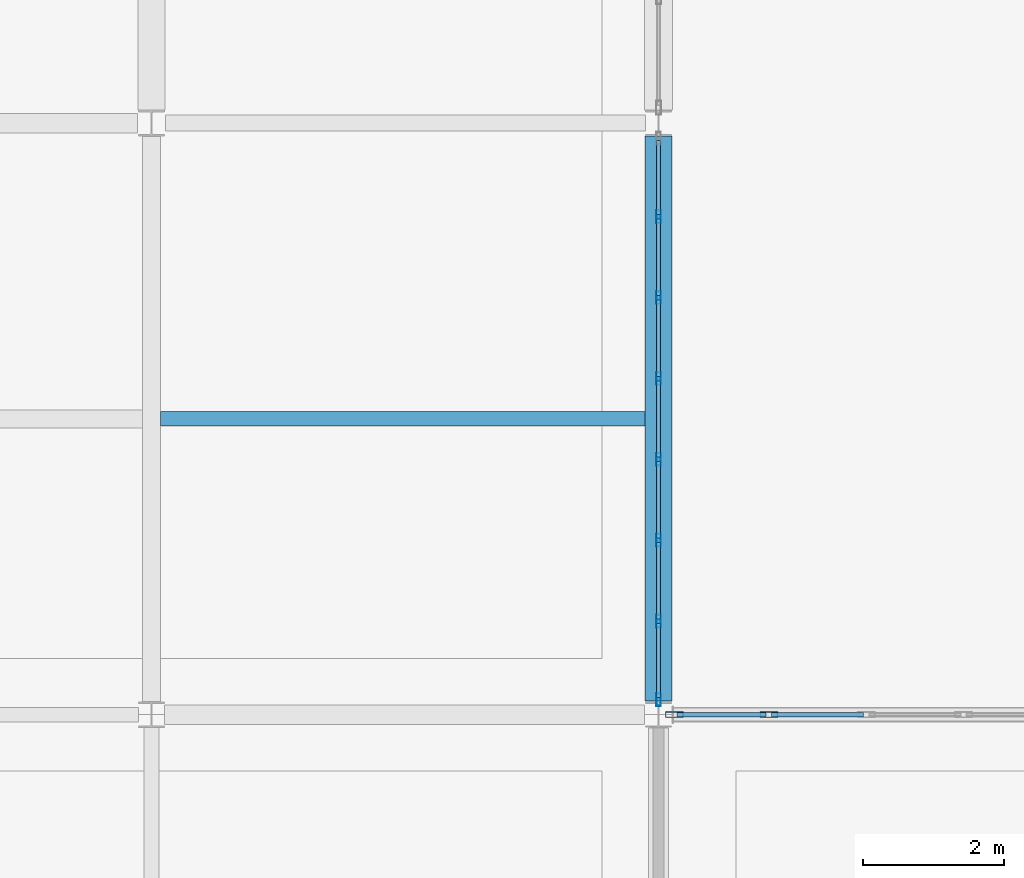
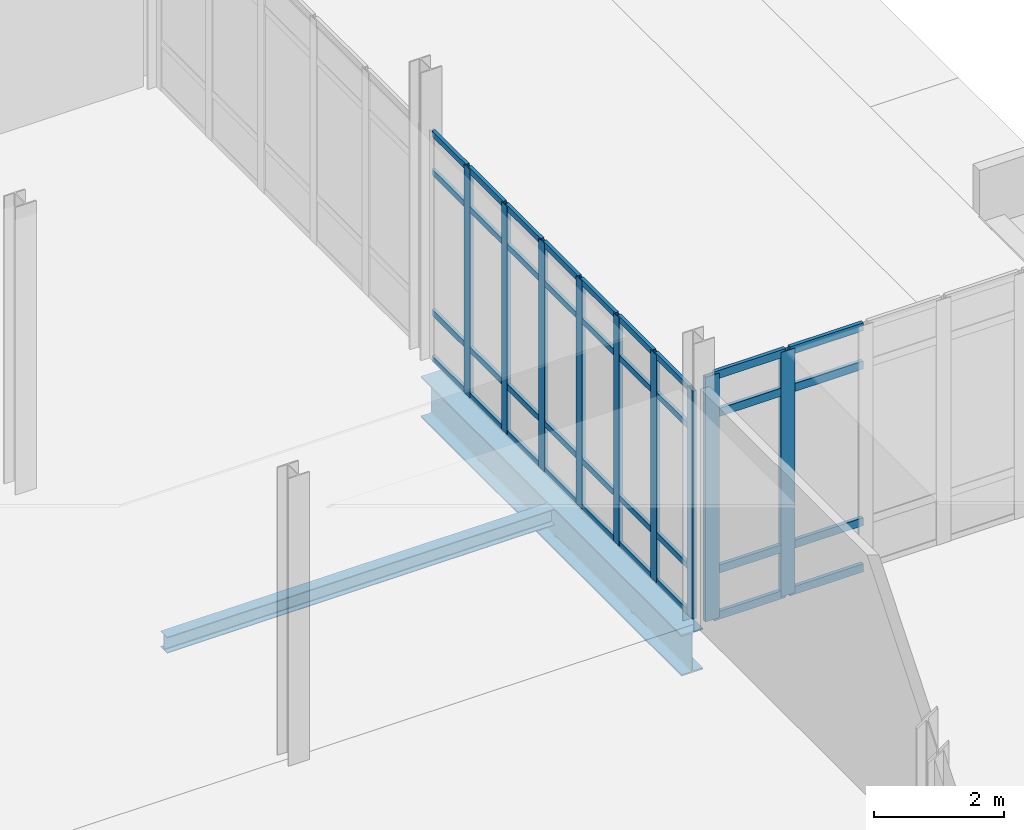
# One storey, part 120 of 229: 45 members, 2 beams, 2 elements without a shape of their own.
"""IFC4 building model written with IfcOpenShell, lengths in metres."""

from ifc_helpers import new_model, si_unit, direction, frame, origin, origin_2d, place, context, subcontext, project, spatial, hollow_rectangle, i_section, extrude, material, layer, layer_set, material_profile, profile_set, type_object, element, aggregate, save


model = new_model("IFC4")

# Units and contexts
model_context = context("Model", 3, precision=1e-05, world=origin(), true_north=direction((0.0, 1.0)))
body_context = subcontext(model_context, "Body", "Model", "MODEL_VIEW")
ifc_project = project(units=[si_unit("LENGTHUNIT", "METRE"), si_unit("AREAUNIT", "SQUARE_METRE"), si_unit("VOLUMEUNIT", "CUBIC_METRE"), si_unit("PLANEANGLEUNIT", "RADIAN"), si_unit("MASSUNIT", "GRAM", prefix="KILO")], contexts=[model_context])

# Site, building, storey
site_placement = place(None, origin())
site = spatial("IfcSite", under=ifc_project, at=site_placement, CompositionType="ELEMENT")
building_placement = place(site_placement, origin())
building = spatial("IfcBuilding", under=site, at=building_placement, Name="Calvrana Isthmian Art Gallery", CompositionType="ELEMENT")
storey_placement = place(building_placement, origin())
storey = spatial("IfcBuildingStorey", under=building, at=storey_placement, Name="L00", CompositionType="ELEMENT", Elevation=0.0)

# Beams
ifc_material_1 = material(Name="Steel ASTM A992 Gr 50", Category="steel")
ifc_material_profile_1 = material_profile(ifc_material_1, i_section(OverallWidth=0.381103515625, OverallDepth=0.77197265625, WebThickness=0.0166015625, FlangeThickness=0.027099609375, FilletRadius=0.02490234375, at=origin_2d()), Name="W30X173")
ifc_profile_set_1 = profile_set([ifc_material_profile_1], Name="Steel ASTM A992 Gr 50")
beam_type_1 = type_object("IfcBeamType", Name="BM-G-W30X173", PredefinedType="BEAM", material=ifc_profile_set_1)
beam_1_placement = place(storey_placement, frame((156.0, 21.79296875, -0.6708984375), z_axis=(0.0, 1.0, 0.0), x_axis=(-1.0, 0.0, 0.0)))
element("IfcBeam", 1, at=beam_1_placement, inside=storey, type_object=beam_type_1, Name="Girder Y L00 21/D-E", PredefinedType="BEAM", context=body_context, shape_type="SweptSolid", body=[
    extrude(i_section(OverallWidth=0.381103515625, OverallDepth=0.77197265625, WebThickness=0.0166015625, FlangeThickness=0.027099609375, FilletRadius=0.02490234375, at=origin_2d()), origin(), (0.0, 0.0, 1.0), 8.0205078125),
])
ifc_material_profile_2 = material_profile(ifc_material_1, i_section(OverallWidth=0.202880859375, OverallDepth=0.302001953125, WebThickness=0.007568359375, FlangeThickness=0.01318359375, FilletRadius=0.01611328125, at=origin_2d()), Name="W12X40")
ifc_profile_set_2 = profile_set([ifc_material_profile_2], Name="Steel ASTM A992 Gr 50")
beam_type_2 = type_object("IfcBeamType", Name="BM-J-W12X40", PredefinedType="JOIST", material=ifc_profile_set_2)
beam_2_placement = place(storey_placement, frame((148.928466796875, 25.800048828125, -0.43603515625), z_axis=(1.0, 0.0, 0.0), x_axis=(0.0, 1.0, 0.0)))
element("IfcBeam", 2, at=beam_2_placement, inside=storey, type_object=beam_type_2, Name="Composite joist L00 bay 19-03", PredefinedType="JOIST", context=body_context, shape_type="SweptSolid", body=[
    extrude(i_section(OverallWidth=0.202880859375, OverallDepth=0.302001953125, WebThickness=0.007568359375, FlangeThickness=0.01318359375, FilletRadius=0.01611328125, at=origin_2d()), origin(), (0.0, 0.0, 1.0), 6.881103515625),
])

# Curtain wall, members
ifc_material_2 = material(Name="Anodized bronze aluminium 6063-T6", Category="aluminium")
ifc_layer_1 = layer(ifc_material_2, 0.179931640625, Name="Anodized bronze aluminium 6063-T6")
ifc_layer_set_1 = layer_set([ifc_layer_1], Name="Anodized bronze aluminium 6063-T6")
curtain_wall_type_1 = type_object("IfcCurtainWallType", Name="CW-STICK-080X43", PredefinedType="NOTDEFINED", material=ifc_layer_set_1)
curtain_wall_1_placement = place(storey_placement, origin())
curtain_wall_1 = element("IfcCurtainWall", 3, at=curtain_wall_1_placement, inside=storey, type_object=curtain_wall_type_1, Name="Curtain wall CW-080", PredefinedType="NOTDEFINED")
ifc_material_profile_3 = material_profile(ifc_material_2, hollow_rectangle(XDim=0.06494140625, YDim=0.179931640625, WallThickness=0.00439453125, at=origin_2d()), Name="CWM65X180")
ifc_profile_set_3 = profile_set([ifc_material_profile_3], Name="Anodized bronze aluminium 6063-T6")
member_type_1 = type_object("IfcMemberType", Name="CWM-CWM65X180", PredefinedType="MULLION", material=ifc_profile_set_3)
member_1_placement = place(storey_placement, frame((156.0, 28.669921875, 0.0), z_axis=(0.0, 0.0, 1.0), x_axis=(1.0, 0.0, 0.0)))
member_1 = element("IfcMember", 4, at=member_1_placement, type_object=member_type_1, Name="CW-080 mullion 2", PredefinedType="MULLION", context=body_context, shape_type="SweptSolid", body=[
    extrude(hollow_rectangle(XDim=0.06494140625, YDim=0.179931640625, WallThickness=0.00439453125, at=origin_2d()), origin(), (0.0, 0.0, 1.0), 4.283935546875),
])
member_2_placement = place(storey_placement, frame((156.0, 27.521240234375, 0.0), z_axis=(0.0, 0.0, 1.0), x_axis=(1.0, 0.0, 0.0)))
member_2 = element("IfcMember", 5, at=member_2_placement, type_object=member_type_1, Name="CW-080 mullion 3", PredefinedType="MULLION", context=body_context, shape_type="SweptSolid", body=[
    extrude(hollow_rectangle(XDim=0.06494140625, YDim=0.179931640625, WallThickness=0.00439453125, at=origin_2d()), origin(), (0.0, 0.0, 1.0), 4.283935546875),
])
member_3_placement = place(storey_placement, frame((156.0, 26.37255859375, 0.0), z_axis=(0.0, 0.0, 1.0), x_axis=(1.0, 0.0, 0.0)))
member_3 = element("IfcMember", 6, at=member_3_placement, type_object=member_type_1, Name="CW-080 mullion 4", PredefinedType="MULLION", context=body_context, shape_type="SweptSolid", body=[
    extrude(hollow_rectangle(XDim=0.06494140625, YDim=0.179931640625, WallThickness=0.00439453125, at=origin_2d()), origin(), (0.0, 0.0, 1.0), 4.283935546875),
])
member_4_placement = place(storey_placement, frame((156.0, 25.223876953125, 0.0), z_axis=(0.0, 0.0, 1.0), x_axis=(1.0, 0.0, 0.0)))
member_4 = element("IfcMember", 7, at=member_4_placement, type_object=member_type_1, Name="CW-080 mullion 5", PredefinedType="MULLION", context=body_context, shape_type="SweptSolid", body=[
    extrude(hollow_rectangle(XDim=0.06494140625, YDim=0.179931640625, WallThickness=0.00439453125, at=origin_2d()), origin(), (0.0, 0.0, 1.0), 4.283935546875),
])
member_5_placement = place(storey_placement, frame((156.0, 24.0751953125, 0.0), z_axis=(0.0, 0.0, 1.0), x_axis=(1.0, 0.0, 0.0)))
member_5 = element("IfcMember", 8, at=member_5_placement, type_object=member_type_1, Name="CW-080 mullion 6", PredefinedType="MULLION", context=body_context, shape_type="SweptSolid", body=[
    extrude(hollow_rectangle(XDim=0.06494140625, YDim=0.179931640625, WallThickness=0.00439453125, at=origin_2d()), origin(), (0.0, 0.0, 1.0), 4.283935546875),
])
member_6_placement = place(storey_placement, frame((156.0, 22.9267578125, 0.0), z_axis=(0.0, 0.0, 1.0), x_axis=(1.0, 0.0, 0.0)))
member_6 = element("IfcMember", 9, at=member_6_placement, type_object=member_type_1, Name="CW-080 mullion 7", PredefinedType="MULLION", context=body_context, shape_type="SweptSolid", body=[
    extrude(hollow_rectangle(XDim=0.06494140625, YDim=0.179931640625, WallThickness=0.00439453125, at=origin_2d()), origin(), (0.0, 0.0, 1.0), 4.283935546875),
])
member_7_placement = place(storey_placement, frame((156.0, 21.810546875, 0.0), z_axis=(0.0, 0.0, 1.0), x_axis=(1.0, 0.0, 0.0)))
member_7 = element("IfcMember", 10, at=member_7_placement, type_object=member_type_1, Name="CW-080 mullion 8", PredefinedType="MULLION", context=body_context, shape_type="SweptSolid", body=[
    extrude(hollow_rectangle(XDim=0.06494140625, YDim=0.179931640625, WallThickness=0.00439453125, at=origin_2d()), origin(), (0.0, 0.0, 1.0), 4.283935546875),
])

ifc_layer_2 = layer(ifc_material_2, 0.179931640625, Name="Anodized bronze aluminium 6063-T6")
ifc_layer_set_2 = layer_set([ifc_layer_2], Name="Anodized bronze aluminium 6063-T6")
curtain_wall_type_2 = type_object("IfcCurtainWallType", Name="CW-STICK-069X46", PredefinedType="NOTDEFINED", material=ifc_layer_set_2)
curtain_wall_2_placement = place(storey_placement, origin())
curtain_wall_2 = element("IfcCurtainWall", 11, at=curtain_wall_2_placement, inside=storey, type_object=curtain_wall_type_2, Name="Curtain wall CW-017", PredefinedType="NOTDEFINED")
ifc_material_profile_4 = material_profile(ifc_material_2, hollow_rectangle(XDim=0.080078125, YDim=0.25, WallThickness=0.005615234375, at=origin_2d()), Name="CWM80X250")
ifc_profile_set_4 = profile_set([ifc_material_profile_4], Name="Anodized bronze aluminium 6063-T6")
member_type_2 = type_object("IfcMemberType", Name="CWM-CWM80X250", PredefinedType="MULLION", material=ifc_profile_set_4)
member_8_placement = place(storey_placement, frame((156.22412109375, 21.60009765625, 0.0), z_axis=(0.0, 0.0, 1.0), x_axis=(0.0, 1.0, 0.0)))
member_8 = element("IfcMember", 12, at=member_8_placement, type_object=member_type_2, Name="CW-017 mullion 1", PredefinedType="MULLION", context=body_context, shape_type="SweptSolid", body=[
    extrude(hollow_rectangle(XDim=0.080078125, YDim=0.25, WallThickness=0.005615234375, at=origin_2d()), origin(), (0.0, 0.0, 1.0), 4.591064453125),
])
member_9_placement = place(storey_placement, frame((157.56689453125, 21.60009765625, 0.0), z_axis=(0.0, 0.0, 1.0), x_axis=(0.0, 1.0, 0.0)))
member_9 = element("IfcMember", 13, at=member_9_placement, type_object=member_type_2, Name="CW-017 mullion 2", PredefinedType="MULLION", context=body_context, shape_type="SweptSolid", body=[
    extrude(hollow_rectangle(XDim=0.080078125, YDim=0.25, WallThickness=0.005615234375, at=origin_2d()), origin(), (0.0, 0.0, 1.0), 4.591064453125),
])

# Member
ifc_material_profile_5 = material_profile(ifc_material_2, hollow_rectangle(XDim=0.06005859375, YDim=0.110107421875, WallThickness=0.00341796875, at=origin_2d()), Name="CWT60X110")
ifc_profile_set_5 = profile_set([ifc_material_profile_5], Name="Anodized bronze aluminium 6063-T6")
member_type_3 = type_object("IfcMemberType", Name="CWT-CWT60X110", PredefinedType="USERDEFINED", material=ifc_profile_set_5)
member_10_placement = place(storey_placement, frame((156.0, 29.75341796875, 0.030029296875), z_axis=(0.0, -1.0, 0.0), x_axis=(1.0, 0.0, 0.0)))
member_10 = element("IfcMember", 14, at=member_10_placement, type_object=member_type_3, Name="CW-080 transom 1.1", ObjectType="TRANSOM", PredefinedType="USERDEFINED", context=body_context, shape_type="SweptSolid", body=[
    extrude(hollow_rectangle(XDim=0.06005859375, YDim=0.110107421875, WallThickness=0.00341796875, at=origin_2d()), origin(), (0.0, 0.0, 1.0), 1.051025390625),
])

member_11_placement = place(storey_placement, frame((156.0, 29.75341796875, 0.89990234375), z_axis=(0.0, -1.0, 0.0), x_axis=(1.0, 0.0, 0.0)))
member_11 = element("IfcMember", 15, at=member_11_placement, type_object=member_type_3, Name="CW-080 transom 1.2", ObjectType="TRANSOM", PredefinedType="USERDEFINED", context=body_context, shape_type="SweptSolid", body=[
    extrude(hollow_rectangle(XDim=0.06005859375, YDim=0.110107421875, WallThickness=0.00341796875, at=origin_2d()), origin(), (0.0, 0.0, 1.0), 1.051025390625),
])

member_12_placement = place(storey_placement, frame((156.0, 29.75341796875, 3.533935546875), z_axis=(0.0, -1.0, 0.0), x_axis=(1.0, 0.0, 0.0)))
member_12 = element("IfcMember", 16, at=member_12_placement, type_object=member_type_3, Name="CW-080 transom 1.3", ObjectType="TRANSOM", PredefinedType="USERDEFINED", context=body_context, shape_type="SweptSolid", body=[
    extrude(hollow_rectangle(XDim=0.06005859375, YDim=0.110107421875, WallThickness=0.00341796875, at=origin_2d()), origin(), (0.0, 0.0, 1.0), 1.051025390625),
])

member_13_placement = place(storey_placement, frame((156.0, 29.75341796875, 4.25390625), z_axis=(0.0, -1.0, 0.0), x_axis=(1.0, 0.0, 0.0)))
member_13 = element("IfcMember", 17, at=member_13_placement, type_object=member_type_3, Name="CW-080 transom 1.4", ObjectType="TRANSOM", PredefinedType="USERDEFINED", context=body_context, shape_type="SweptSolid", body=[
    extrude(hollow_rectangle(XDim=0.06005859375, YDim=0.110107421875, WallThickness=0.00341796875, at=origin_2d()), origin(), (0.0, 0.0, 1.0), 1.051025390625),
])

member_14_placement = place(storey_placement, frame((156.0, 28.637451171875, 0.030029296875), z_axis=(0.0, -1.0, 0.0), x_axis=(1.0, 0.0, 0.0)))
member_14 = element("IfcMember", 18, at=member_14_placement, type_object=member_type_3, Name="CW-080 transom 2.1", ObjectType="TRANSOM", PredefinedType="USERDEFINED", context=body_context, shape_type="SweptSolid", body=[
    extrude(hollow_rectangle(XDim=0.06005859375, YDim=0.110107421875, WallThickness=0.00341796875, at=origin_2d()), origin(), (0.0, 0.0, 1.0), 1.083740234375),
])

member_15_placement = place(storey_placement, frame((156.0, 28.637451171875, 0.89990234375), z_axis=(0.0, -1.0, 0.0), x_axis=(1.0, 0.0, 0.0)))
member_15 = element("IfcMember", 19, at=member_15_placement, type_object=member_type_3, Name="CW-080 transom 2.2", ObjectType="TRANSOM", PredefinedType="USERDEFINED", context=body_context, shape_type="SweptSolid", body=[
    extrude(hollow_rectangle(XDim=0.06005859375, YDim=0.110107421875, WallThickness=0.00341796875, at=origin_2d()), origin(), (0.0, 0.0, 1.0), 1.083740234375),
])

member_16_placement = place(storey_placement, frame((156.0, 28.637451171875, 3.533935546875), z_axis=(0.0, -1.0, 0.0), x_axis=(1.0, 0.0, 0.0)))
member_16 = element("IfcMember", 20, at=member_16_placement, type_object=member_type_3, Name="CW-080 transom 2.3", ObjectType="TRANSOM", PredefinedType="USERDEFINED", context=body_context, shape_type="SweptSolid", body=[
    extrude(hollow_rectangle(XDim=0.06005859375, YDim=0.110107421875, WallThickness=0.00341796875, at=origin_2d()), origin(), (0.0, 0.0, 1.0), 1.083740234375),
])

member_17_placement = place(storey_placement, frame((156.0, 28.637451171875, 4.25390625), z_axis=(0.0, -1.0, 0.0), x_axis=(1.0, 0.0, 0.0)))
member_17 = element("IfcMember", 21, at=member_17_placement, type_object=member_type_3, Name="CW-080 transom 2.4", ObjectType="TRANSOM", PredefinedType="USERDEFINED", context=body_context, shape_type="SweptSolid", body=[
    extrude(hollow_rectangle(XDim=0.06005859375, YDim=0.110107421875, WallThickness=0.00341796875, at=origin_2d()), origin(), (0.0, 0.0, 1.0), 1.083740234375),
])

member_18_placement = place(storey_placement, frame((156.0, 27.48876953125, 0.030029296875), z_axis=(0.0, -1.0, 0.0), x_axis=(1.0, 0.0, 0.0)))
member_18 = element("IfcMember", 22, at=member_18_placement, type_object=member_type_3, Name="CW-080 transom 3.1", ObjectType="TRANSOM", PredefinedType="USERDEFINED", context=body_context, shape_type="SweptSolid", body=[
    extrude(hollow_rectangle(XDim=0.06005859375, YDim=0.110107421875, WallThickness=0.00341796875, at=origin_2d()), origin(), (0.0, 0.0, 1.0), 1.083740234375),
])

member_19_placement = place(storey_placement, frame((156.0, 27.48876953125, 0.89990234375), z_axis=(0.0, -1.0, 0.0), x_axis=(1.0, 0.0, 0.0)))
member_19 = element("IfcMember", 23, at=member_19_placement, type_object=member_type_3, Name="CW-080 transom 3.2", ObjectType="TRANSOM", PredefinedType="USERDEFINED", context=body_context, shape_type="SweptSolid", body=[
    extrude(hollow_rectangle(XDim=0.06005859375, YDim=0.110107421875, WallThickness=0.00341796875, at=origin_2d()), origin(), (0.0, 0.0, 1.0), 1.083740234375),
])

member_20_placement = place(storey_placement, frame((156.0, 27.48876953125, 3.533935546875), z_axis=(0.0, -1.0, 0.0), x_axis=(1.0, 0.0, 0.0)))
member_20 = element("IfcMember", 24, at=member_20_placement, type_object=member_type_3, Name="CW-080 transom 3.3", ObjectType="TRANSOM", PredefinedType="USERDEFINED", context=body_context, shape_type="SweptSolid", body=[
    extrude(hollow_rectangle(XDim=0.06005859375, YDim=0.110107421875, WallThickness=0.00341796875, at=origin_2d()), origin(), (0.0, 0.0, 1.0), 1.083740234375),
])

member_21_placement = place(storey_placement, frame((156.0, 27.48876953125, 4.25390625), z_axis=(0.0, -1.0, 0.0), x_axis=(1.0, 0.0, 0.0)))
member_21 = element("IfcMember", 25, at=member_21_placement, type_object=member_type_3, Name="CW-080 transom 3.4", ObjectType="TRANSOM", PredefinedType="USERDEFINED", context=body_context, shape_type="SweptSolid", body=[
    extrude(hollow_rectangle(XDim=0.06005859375, YDim=0.110107421875, WallThickness=0.00341796875, at=origin_2d()), origin(), (0.0, 0.0, 1.0), 1.083740234375),
])

member_22_placement = place(storey_placement, frame((156.0, 26.340087890625, 0.030029296875), z_axis=(0.0, -1.0, 0.0), x_axis=(1.0, 0.0, 0.0)))
member_22 = element("IfcMember", 26, at=member_22_placement, type_object=member_type_3, Name="CW-080 transom 4.1", ObjectType="TRANSOM", PredefinedType="USERDEFINED", context=body_context, shape_type="SweptSolid", body=[
    extrude(hollow_rectangle(XDim=0.06005859375, YDim=0.110107421875, WallThickness=0.00341796875, at=origin_2d()), origin(), (0.0, 0.0, 1.0), 1.083740234375),
])

member_23_placement = place(storey_placement, frame((156.0, 26.340087890625, 0.89990234375), z_axis=(0.0, -1.0, 0.0), x_axis=(1.0, 0.0, 0.0)))
member_23 = element("IfcMember", 27, at=member_23_placement, type_object=member_type_3, Name="CW-080 transom 4.2", ObjectType="TRANSOM", PredefinedType="USERDEFINED", context=body_context, shape_type="SweptSolid", body=[
    extrude(hollow_rectangle(XDim=0.06005859375, YDim=0.110107421875, WallThickness=0.00341796875, at=origin_2d()), origin(), (0.0, 0.0, 1.0), 1.083740234375),
])

member_24_placement = place(storey_placement, frame((156.0, 26.340087890625, 3.533935546875), z_axis=(0.0, -1.0, 0.0), x_axis=(1.0, 0.0, 0.0)))
member_24 = element("IfcMember", 28, at=member_24_placement, type_object=member_type_3, Name="CW-080 transom 4.3", ObjectType="TRANSOM", PredefinedType="USERDEFINED", context=body_context, shape_type="SweptSolid", body=[
    extrude(hollow_rectangle(XDim=0.06005859375, YDim=0.110107421875, WallThickness=0.00341796875, at=origin_2d()), origin(), (0.0, 0.0, 1.0), 1.083740234375),
])

member_25_placement = place(storey_placement, frame((156.0, 26.340087890625, 4.25390625), z_axis=(0.0, -1.0, 0.0), x_axis=(1.0, 0.0, 0.0)))
member_25 = element("IfcMember", 29, at=member_25_placement, type_object=member_type_3, Name="CW-080 transom 4.4", ObjectType="TRANSOM", PredefinedType="USERDEFINED", context=body_context, shape_type="SweptSolid", body=[
    extrude(hollow_rectangle(XDim=0.06005859375, YDim=0.110107421875, WallThickness=0.00341796875, at=origin_2d()), origin(), (0.0, 0.0, 1.0), 1.083740234375),
])

member_26_placement = place(storey_placement, frame((156.0, 25.19140625, 0.030029296875), z_axis=(0.0, -1.0, 0.0), x_axis=(1.0, 0.0, 0.0)))
member_26 = element("IfcMember", 30, at=member_26_placement, type_object=member_type_3, Name="CW-080 transom 5.1", ObjectType="TRANSOM", PredefinedType="USERDEFINED", context=body_context, shape_type="SweptSolid", body=[
    extrude(hollow_rectangle(XDim=0.06005859375, YDim=0.110107421875, WallThickness=0.00341796875, at=origin_2d()), origin(), (0.0, 0.0, 1.0), 1.083740234375),
])

member_27_placement = place(storey_placement, frame((156.0, 25.19140625, 0.89990234375), z_axis=(0.0, -1.0, 0.0), x_axis=(1.0, 0.0, 0.0)))
member_27 = element("IfcMember", 31, at=member_27_placement, type_object=member_type_3, Name="CW-080 transom 5.2", ObjectType="TRANSOM", PredefinedType="USERDEFINED", context=body_context, shape_type="SweptSolid", body=[
    extrude(hollow_rectangle(XDim=0.06005859375, YDim=0.110107421875, WallThickness=0.00341796875, at=origin_2d()), origin(), (0.0, 0.0, 1.0), 1.083740234375),
])

member_28_placement = place(storey_placement, frame((156.0, 25.19140625, 3.533935546875), z_axis=(0.0, -1.0, 0.0), x_axis=(1.0, 0.0, 0.0)))
member_28 = element("IfcMember", 32, at=member_28_placement, type_object=member_type_3, Name="CW-080 transom 5.3", ObjectType="TRANSOM", PredefinedType="USERDEFINED", context=body_context, shape_type="SweptSolid", body=[
    extrude(hollow_rectangle(XDim=0.06005859375, YDim=0.110107421875, WallThickness=0.00341796875, at=origin_2d()), origin(), (0.0, 0.0, 1.0), 1.083740234375),
])

member_29_placement = place(storey_placement, frame((156.0, 25.19140625, 4.25390625), z_axis=(0.0, -1.0, 0.0), x_axis=(1.0, 0.0, 0.0)))
member_29 = element("IfcMember", 33, at=member_29_placement, type_object=member_type_3, Name="CW-080 transom 5.4", ObjectType="TRANSOM", PredefinedType="USERDEFINED", context=body_context, shape_type="SweptSolid", body=[
    extrude(hollow_rectangle(XDim=0.06005859375, YDim=0.110107421875, WallThickness=0.00341796875, at=origin_2d()), origin(), (0.0, 0.0, 1.0), 1.083740234375),
])

member_30_placement = place(storey_placement, frame((156.0, 24.042724609375, 0.030029296875), z_axis=(0.0, -1.0, 0.0), x_axis=(1.0, 0.0, 0.0)))
member_30 = element("IfcMember", 34, at=member_30_placement, type_object=member_type_3, Name="CW-080 transom 6.1", ObjectType="TRANSOM", PredefinedType="USERDEFINED", context=body_context, shape_type="SweptSolid", body=[
    extrude(hollow_rectangle(XDim=0.06005859375, YDim=0.110107421875, WallThickness=0.00341796875, at=origin_2d()), origin(), (0.0, 0.0, 1.0), 1.08349609375),
])

member_31_placement = place(storey_placement, frame((156.0, 24.042724609375, 0.89990234375), z_axis=(0.0, -1.0, 0.0), x_axis=(1.0, 0.0, 0.0)))
member_31 = element("IfcMember", 35, at=member_31_placement, type_object=member_type_3, Name="CW-080 transom 6.2", ObjectType="TRANSOM", PredefinedType="USERDEFINED", context=body_context, shape_type="SweptSolid", body=[
    extrude(hollow_rectangle(XDim=0.06005859375, YDim=0.110107421875, WallThickness=0.00341796875, at=origin_2d()), origin(), (0.0, 0.0, 1.0), 1.08349609375),
])

member_32_placement = place(storey_placement, frame((156.0, 24.042724609375, 3.533935546875), z_axis=(0.0, -1.0, 0.0), x_axis=(1.0, 0.0, 0.0)))
member_32 = element("IfcMember", 36, at=member_32_placement, type_object=member_type_3, Name="CW-080 transom 6.3", ObjectType="TRANSOM", PredefinedType="USERDEFINED", context=body_context, shape_type="SweptSolid", body=[
    extrude(hollow_rectangle(XDim=0.06005859375, YDim=0.110107421875, WallThickness=0.00341796875, at=origin_2d()), origin(), (0.0, 0.0, 1.0), 1.08349609375),
])

member_33_placement = place(storey_placement, frame((156.0, 24.042724609375, 4.25390625), z_axis=(0.0, -1.0, 0.0), x_axis=(1.0, 0.0, 0.0)))
member_33 = element("IfcMember", 37, at=member_33_placement, type_object=member_type_3, Name="CW-080 transom 6.4", ObjectType="TRANSOM", PredefinedType="USERDEFINED", context=body_context, shape_type="SweptSolid", body=[
    extrude(hollow_rectangle(XDim=0.06005859375, YDim=0.110107421875, WallThickness=0.00341796875, at=origin_2d()), origin(), (0.0, 0.0, 1.0), 1.08349609375),
])

member_34_placement = place(storey_placement, frame((156.0, 22.89404296875, 0.030029296875), z_axis=(0.0, -1.0, 0.0), x_axis=(1.0, 0.0, 0.0)))
member_34 = element("IfcMember", 38, at=member_34_placement, type_object=member_type_3, Name="CW-080 transom 7.1", ObjectType="TRANSOM", PredefinedType="USERDEFINED", context=body_context, shape_type="SweptSolid", body=[
    extrude(hollow_rectangle(XDim=0.06005859375, YDim=0.110107421875, WallThickness=0.00341796875, at=origin_2d()), origin(), (0.0, 0.0, 1.0), 1.051025390625),
])

member_35_placement = place(storey_placement, frame((156.0, 22.89404296875, 0.89990234375), z_axis=(0.0, -1.0, 0.0), x_axis=(1.0, 0.0, 0.0)))
member_35 = element("IfcMember", 39, at=member_35_placement, type_object=member_type_3, Name="CW-080 transom 7.2", ObjectType="TRANSOM", PredefinedType="USERDEFINED", context=body_context, shape_type="SweptSolid", body=[
    extrude(hollow_rectangle(XDim=0.06005859375, YDim=0.110107421875, WallThickness=0.00341796875, at=origin_2d()), origin(), (0.0, 0.0, 1.0), 1.051025390625),
])

member_36_placement = place(storey_placement, frame((156.0, 22.89404296875, 3.533935546875), z_axis=(0.0, -1.0, 0.0), x_axis=(1.0, 0.0, 0.0)))
member_36 = element("IfcMember", 40, at=member_36_placement, type_object=member_type_3, Name="CW-080 transom 7.3", ObjectType="TRANSOM", PredefinedType="USERDEFINED", context=body_context, shape_type="SweptSolid", body=[
    extrude(hollow_rectangle(XDim=0.06005859375, YDim=0.110107421875, WallThickness=0.00341796875, at=origin_2d()), origin(), (0.0, 0.0, 1.0), 1.051025390625),
])

member_37_placement = place(storey_placement, frame((156.0, 22.89404296875, 4.25390625), z_axis=(0.0, -1.0, 0.0), x_axis=(1.0, 0.0, 0.0)))
member_37 = element("IfcMember", 41, at=member_37_placement, type_object=member_type_3, Name="CW-080 transom 7.4", ObjectType="TRANSOM", PredefinedType="USERDEFINED", context=body_context, shape_type="SweptSolid", body=[
    extrude(hollow_rectangle(XDim=0.06005859375, YDim=0.110107421875, WallThickness=0.00341796875, at=origin_2d()), origin(), (0.0, 0.0, 1.0), 1.051025390625),
])

aggregate(curtain_wall_1, [member_1, member_2, member_3, member_4, member_5, member_6, member_7, member_10, member_11, member_12, member_13, member_14, member_15, member_16, member_17, member_18, member_19, member_20, member_21, member_22, member_23, member_24, member_25, member_26, member_27, member_28, member_29, member_30, member_31, member_32, member_33, member_34, member_35, member_36, member_37])

ifc_material_profile_6 = material_profile(ifc_material_2, hollow_rectangle(XDim=0.06494140625, YDim=0.14990234375, WallThickness=0.00390625, at=origin_2d()), Name="CWT65X150")
ifc_profile_set_6 = profile_set([ifc_material_profile_6], Name="Anodized bronze aluminium 6063-T6")
member_type_4 = type_object("IfcMemberType", Name="CWT-CWT65X150", PredefinedType="USERDEFINED", material=ifc_profile_set_6)
member_38_placement = place(storey_placement, frame((156.263916015625, 21.60009765625, 0.032470703125), z_axis=(1.0, 0.0, 0.0), x_axis=(0.0, 1.0, 0.0)))
member_38 = element("IfcMember", 42, at=member_38_placement, type_object=member_type_4, Name="CW-017 transom 1.1", ObjectType="TRANSOM", PredefinedType="USERDEFINED", context=body_context, shape_type="SweptSolid", body=[
    extrude(hollow_rectangle(XDim=0.06494140625, YDim=0.14990234375, WallThickness=0.00390625, at=origin_2d()), origin(), (0.0, 0.0, 1.0), 1.262939453125),
])

member_39_placement = place(storey_placement, frame((156.263916015625, 21.60009765625, 0.89990234375), z_axis=(1.0, 0.0, 0.0), x_axis=(0.0, 1.0, 0.0)))
member_39 = element("IfcMember", 43, at=member_39_placement, type_object=member_type_4, Name="CW-017 transom 1.2", ObjectType="TRANSOM", PredefinedType="USERDEFINED", context=body_context, shape_type="SweptSolid", body=[
    extrude(hollow_rectangle(XDim=0.06494140625, YDim=0.14990234375, WallThickness=0.00390625, at=origin_2d()), origin(), (0.0, 0.0, 1.0), 1.262939453125),
])

member_40_placement = place(storey_placement, frame((156.263916015625, 21.60009765625, 3.841064453125), z_axis=(1.0, 0.0, 0.0), x_axis=(0.0, 1.0, 0.0)))
member_40 = element("IfcMember", 44, at=member_40_placement, type_object=member_type_4, Name="CW-017 transom 1.3", ObjectType="TRANSOM", PredefinedType="USERDEFINED", context=body_context, shape_type="SweptSolid", body=[
    extrude(hollow_rectangle(XDim=0.06494140625, YDim=0.14990234375, WallThickness=0.00390625, at=origin_2d()), origin(), (0.0, 0.0, 1.0), 1.262939453125),
])

member_41_placement = place(storey_placement, frame((156.263916015625, 21.60009765625, 4.55859375), z_axis=(1.0, 0.0, 0.0), x_axis=(0.0, 1.0, 0.0)))
member_41 = element("IfcMember", 45, at=member_41_placement, type_object=member_type_4, Name="CW-017 transom 1.4", ObjectType="TRANSOM", PredefinedType="USERDEFINED", context=body_context, shape_type="SweptSolid", body=[
    extrude(hollow_rectangle(XDim=0.06494140625, YDim=0.14990234375, WallThickness=0.00390625, at=origin_2d()), origin(), (0.0, 0.0, 1.0), 1.262939453125),
])

member_42_placement = place(storey_placement, frame((157.60693359375, 21.60009765625, 0.032470703125), z_axis=(1.0, 0.0, 0.0), x_axis=(0.0, 1.0, 0.0)))
member_42 = element("IfcMember", 46, at=member_42_placement, type_object=member_type_4, Name="CW-017 transom 2.1", ObjectType="TRANSOM", PredefinedType="USERDEFINED", context=body_context, shape_type="SweptSolid", body=[
    extrude(hollow_rectangle(XDim=0.06494140625, YDim=0.14990234375, WallThickness=0.00390625, at=origin_2d()), origin(), (0.0, 0.0, 1.0), 1.302734375),
])

member_43_placement = place(storey_placement, frame((157.60693359375, 21.60009765625, 0.89990234375), z_axis=(1.0, 0.0, 0.0), x_axis=(0.0, 1.0, 0.0)))
member_43 = element("IfcMember", 47, at=member_43_placement, type_object=member_type_4, Name="CW-017 transom 2.2", ObjectType="TRANSOM", PredefinedType="USERDEFINED", context=body_context, shape_type="SweptSolid", body=[
    extrude(hollow_rectangle(XDim=0.06494140625, YDim=0.14990234375, WallThickness=0.00390625, at=origin_2d()), origin(), (0.0, 0.0, 1.0), 1.302734375),
])

member_44_placement = place(storey_placement, frame((157.60693359375, 21.60009765625, 3.841064453125), z_axis=(1.0, 0.0, 0.0), x_axis=(0.0, 1.0, 0.0)))
member_44 = element("IfcMember", 48, at=member_44_placement, type_object=member_type_4, Name="CW-017 transom 2.3", ObjectType="TRANSOM", PredefinedType="USERDEFINED", context=body_context, shape_type="SweptSolid", body=[
    extrude(hollow_rectangle(XDim=0.06494140625, YDim=0.14990234375, WallThickness=0.00390625, at=origin_2d()), origin(), (0.0, 0.0, 1.0), 1.302734375),
])

member_45_placement = place(storey_placement, frame((157.60693359375, 21.60009765625, 4.55859375), z_axis=(1.0, 0.0, 0.0), x_axis=(0.0, 1.0, 0.0)))
member_45 = element("IfcMember", 49, at=member_45_placement, type_object=member_type_4, Name="CW-017 transom 2.4", ObjectType="TRANSOM", PredefinedType="USERDEFINED", context=body_context, shape_type="SweptSolid", body=[
    extrude(hollow_rectangle(XDim=0.06494140625, YDim=0.14990234375, WallThickness=0.00390625, at=origin_2d()), origin(), (0.0, 0.0, 1.0), 1.302734375),
])

aggregate(curtain_wall_2, [member_8, member_9, member_38, member_39, member_40, member_41, member_42, member_43, member_44, member_45])

save(model, "model.ifc")
